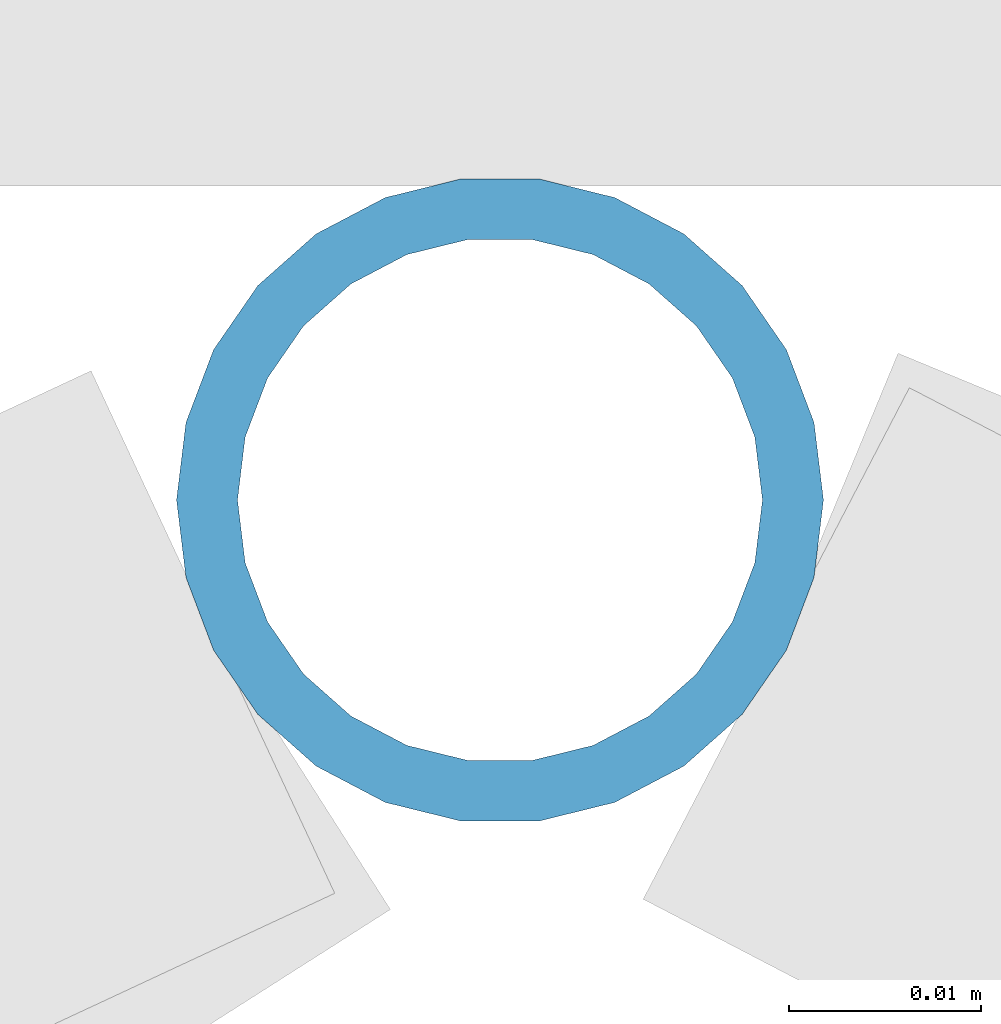
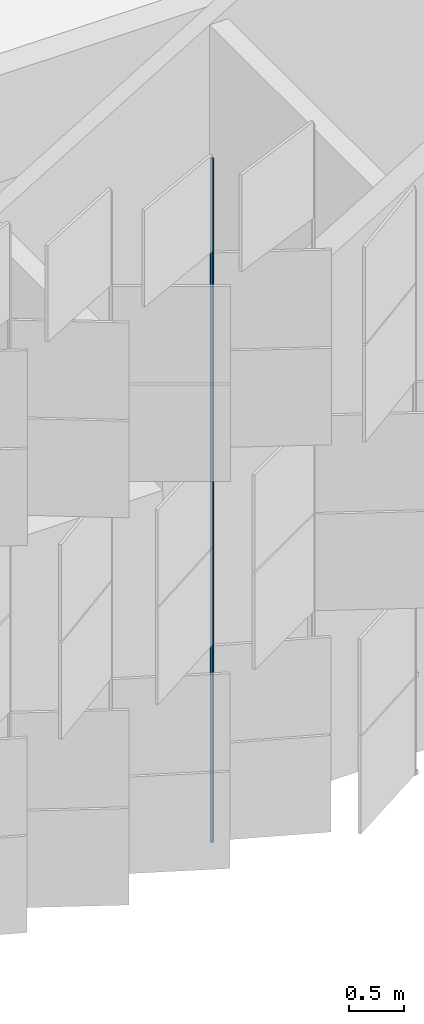
# One storey, part 160 of 483: 1 discrete accessory.
"""IFC4 building model written with IfcOpenShell, lengths in metres."""

from ifc_helpers import new_model, si_unit, direction, frame, origin, origin_2d, place, context, subcontext, project, spatial, hollow_circle, extrude, material, material_profile, profile_set, type_object, element, save


model = new_model("IFC4")

# Units and contexts
model_context = context("Model", 3, precision=1e-05, world=origin(), true_north=direction((0.0, 1.0)))
body_context = subcontext(model_context, "Body", "Model", "MODEL_VIEW")
ifc_project = project(units=[si_unit("LENGTHUNIT", "METRE"), si_unit("AREAUNIT", "SQUARE_METRE"), si_unit("VOLUMEUNIT", "CUBIC_METRE"), si_unit("PLANEANGLEUNIT", "RADIAN"), si_unit("MASSUNIT", "GRAM", prefix="KILO")], contexts=[model_context])

# Site, building, storey
site_placement = place(None, origin())
site = spatial("IfcSite", under=ifc_project, at=site_placement, CompositionType="ELEMENT")
building_placement = place(site_placement, origin())
building = spatial("IfcBuilding", under=site, at=building_placement, Name="Parallax Yard Mobility Hub", CompositionType="ELEMENT")
storey_placement = place(building_placement, frame((0.0, 0.0, 13.199951171875)))
storey = spatial("IfcBuildingStorey", under=building, at=storey_placement, Name="L04", CompositionType="ELEMENT", Elevation=13.199951171875)

# Discrete accessory
ifc_material = material(Name="Steel ASTM A500 Gr C, hot-dip galvanised", Category="steel")
ifc_material_profile = material_profile(ifc_material, hollow_circle(Radius=0.016845703125, WallThickness=0.003173828125, at=origin_2d()), Name="CHS 33.7x3.2")
ifc_profile_set = profile_set([ifc_material_profile], Name="Steel ASTM A500 Gr C, hot-dip galvanised")
discrete_accessory_type = type_object("IfcDiscreteAccessoryType", Name="Hinge post CHS 33.7x3.2", PredefinedType="BRACKET", material=ifc_profile_set)
discrete_accessory_placement = place(storey_placement, frame((132.84814453125, 112.199951171875, 0.0), z_axis=(0.0, 0.0, 1.0), x_axis=(1.0, 0.0, 0.0)))
element("IfcDiscreteAccessory", 1, at=discrete_accessory_placement, inside=storey, type_object=discrete_accessory_type, Name="Hinge post bay 13.6 level L04", PredefinedType="BRACKET", context=body_context, shape_type="SweptSolid", body=[
    extrude(hollow_circle(Radius=0.016845703125, WallThickness=0.003173828125, at=origin_2d()), origin(), (0.0, 0.0, 1.0), 7.650146484375),
])

save(model, "model.ifc")
